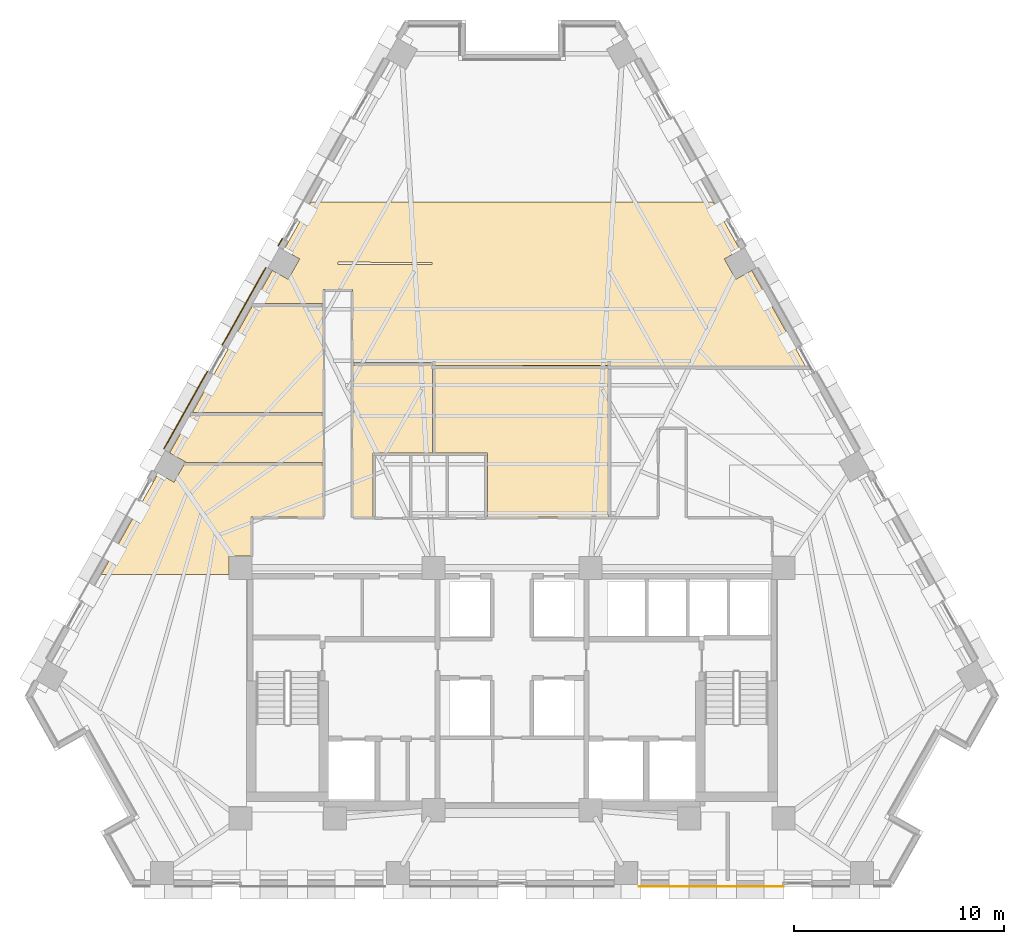
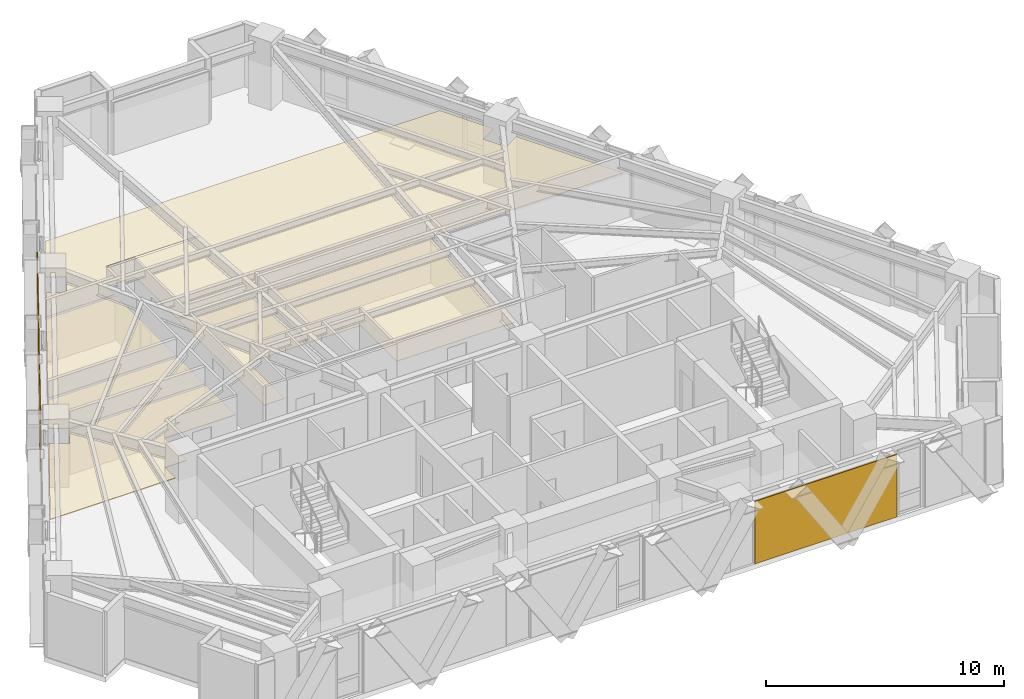
# One storey, part 11 of 13: 10 coverings.
"""IFC4 building model written with IfcOpenShell, lengths in metres."""

import ifcopenshell
import ifcopenshell.guid

model = None  # the IFC model being written
_history = None  # IfcOwnerHistory: only IFC2X3 demands one
_inside = {}  # id of a spatial element -> (the spatial element, [elements in it])
_under = {}  # id of a project, library or spatial element -> (it, [spatial elements below it])
_declared = {}  # id of a project -> (the project, [libraries it declares])
_typed = {}  # id of a type object -> (the type object, [elements of that type])
_made_of = {}  # id of a material, layer set ... -> (it, [elements and type objects made of it])


def new_model(schema):
    """Start an empty IFC model of exactly this schema.

    Asked for "IFC4X3", IfcOpenShell would pick the latest addendum, in which some entities
    have other attributes; the version numbers below select the first issue.
    IFC2X3 requires an IfcOwnerHistory on every rooted entity: one is made here for all.
    """
    global model, _history
    if schema == "IFC4X3":
        model = ifcopenshell.file(schema_version=(4, 3, 0, 0))
    else:
        model = ifcopenshell.file(schema=schema)
    _inside.clear()
    _under.clear()
    _declared.clear()
    _typed.clear()
    _made_of.clear()
    _history = None
    if model.schema == "IFC2X3":
        org = make("IfcOrganization", Name="unknown")
        user = make(
            "IfcPersonAndOrganization",
            ThePerson=make("IfcPerson", FamilyName="unknown"),
            TheOrganization=org,
        )
        app = make(
            "IfcApplication",
            ApplicationDeveloper=org,
            Version="unknown",
            ApplicationFullName="unknown",
            ApplicationIdentifier="unknown",
        )
        _history = make(
            "IfcOwnerHistory",
            OwningUser=user,
            OwningApplication=app,
            ChangeAction="ADDED",
            CreationDate=0,
        )
    return model


def make(cls, **values):
    """One entity of the class cls with the attributes given. An attribute that is None is left unset."""
    return model.create_entity(
        cls, **{name: value for name, value in values.items() if value is not None}
    )


def rooted(cls, **values):
    """An entity with a GlobalId (a new one), such as an element, a storey or a relation."""
    return make(cls, GlobalId=ifcopenshell.guid.new(), OwnerHistory=_history, **values)


def si_unit(unit_type, name, prefix=None):
    """IfcSIUnit, for example si_unit("LENGTHUNIT", "METRE", prefix="MILLI")."""
    return make("IfcSIUnit", UnitType=unit_type, Prefix=prefix, Name=name)


def assignment(units):
    """IfcUnitAssignment: the units of a project."""
    return None if units is None else make("IfcUnitAssignment", Units=units)


def point(xyz):
    """IfcCartesianPoint."""
    return None if xyz is None else make("IfcCartesianPoint", Coordinates=xyz)


def direction(xyz):
    """IfcDirection."""
    return None if xyz is None else make("IfcDirection", DirectionRatios=xyz)


def frame(location, z_axis=None, x_axis=None):
    """IfcAxis2Placement3D, a coordinate frame: its origin and axes. An axis left out is left unset."""
    return make(
        "IfcAxis2Placement3D",
        Location=point(location),
        Axis=direction(z_axis),
        RefDirection=direction(x_axis),
    )


def origin():
    """The frame at (0, 0, 0) with its axes left unset."""
    return frame((0.0, 0.0, 0.0))


def place(relative_to, where):
    """IfcLocalPlacement: puts the frame where relative to a parent placement (None: the world)."""
    return make(
        "IfcLocalPlacement", PlacementRelTo=relative_to, RelativePlacement=where
    )


def context(
    kind, dimensions, precision=None, world=None, true_north=None, identifier=None
):
    """IfcGeometricRepresentationContext, for example the 3D "Model" context."""
    return make(
        "IfcGeometricRepresentationContext",
        ContextIdentifier=identifier,
        ContextType=kind,
        CoordinateSpaceDimension=dimensions,
        Precision=precision,
        WorldCoordinateSystem=world,
        TrueNorth=true_north,
    )


def subcontext(parent, identifier, kind, view, scale=None):
    """IfcGeometricRepresentationSubContext, for example "Body" below "Model"."""
    return make(
        "IfcGeometricRepresentationSubContext",
        ContextIdentifier=identifier,
        ContextType=kind,
        ParentContext=parent,
        TargetScale=scale,
        TargetView=view,
    )


def project(units=None, contexts=None):
    """IfcProject with its units and contexts."""
    return rooted(
        "IfcProject",
        Name="project",
        RepresentationContexts=contexts,
        UnitsInContext=assignment(units),
    )


def spatial(cls, under=None, at=None, **own):
    """A site, building, storey or space (cls), placed at a placement, below another one or the project."""
    s = rooted(cls, ObjectPlacement=at, **own)
    if under is not None:
        _under.setdefault(under.id(), (under, []))[1].append(s)
    return s


def polyline(points):
    """IfcPolyline through the points."""
    return make("IfcPolyline", Points=[point(p) for p in points])


def outline(outer, holes=None, kind="AREA"):
    """IfcArbitraryClosedProfileDef: a profile drawn as a closed curve; with holes, ...WithVoids."""
    if holes is None:
        return make("IfcArbitraryClosedProfileDef", ProfileType=kind, OuterCurve=outer)
    return make(
        "IfcArbitraryProfileDefWithVoids",
        ProfileType=kind,
        OuterCurve=outer,
        InnerCurves=holes,
    )


def extrude(swept, where, along, depth):
    """IfcExtrudedAreaSolid: the profile swept, set in the frame where, extruded along a direction by depth."""
    return make(
        "IfcExtrudedAreaSolid",
        SweptArea=swept,
        Position=where,
        ExtrudedDirection=direction(along),
        Depth=depth,
    )


def shape(context_of_items, identifier, shape_type, items):
    """IfcShapeRepresentation: the items that make up one representation, for example the "Body"."""
    return make(
        "IfcShapeRepresentation",
        ContextOfItems=context_of_items,
        RepresentationIdentifier=identifier,
        RepresentationType=shape_type,
        Items=items,
    )


def material(Name=None, Category=None):
    """IfcMaterial."""
    return make("IfcMaterial", Name=Name, Category=Category)


def layer(
    of_material, thickness, ventilated=None, Name=None, Category=None, Priority=None
):
    """IfcMaterialLayer: one layer of a wall or slab, of a material (None: an air gap)."""
    return make(
        "IfcMaterialLayer",
        Material=of_material,
        LayerThickness=thickness,
        IsVentilated=ventilated,
        Name=Name,
        Category=Category,
        Priority=Priority,
    )


def layer_set(layers, Name=None):
    """IfcMaterialLayerSet."""
    return make("IfcMaterialLayerSet", MaterialLayers=layers, LayerSetName=Name)


def made_of(thing, what):
    """Note that an element or type object is made of a material, layer set ...; save() writes the relation."""
    if what is not None:
        _made_of.setdefault(what.id(), (what, []))[1].append(thing)
    return thing


def type_object(cls, material=None, **own):
    """A type object (cls), such as IfcWallType, which elements share."""
    return made_of(rooted(cls, **own), material)


def element(
    cls,
    number,
    at=None,
    inside=None,
    cuts=None,
    type_object=None,
    material=None,
    context=None,
    identifier="Body",
    shape_type=None,
    held_by="IfcProductDefinitionShape",
    body=None,
    shapes=None,
    **own,
):
    """One element of the class cls, such as IfcWall. Its Tag is "e" and its number.

    at: its placement. inside: the storey or other place that contains it. cuts: it is an
    opening in that element (IfcRelVoidsElement). A single representation is given by context,
    identifier, shape_type and body (its items); several are given by shapes. held_by: the class
    of the entity that holds the representations. save() writes the other relations.
    """
    e = rooted(cls, Tag="e%d" % number, ObjectPlacement=at, **own)
    if body is not None:
        shapes = [shape(context, identifier, shape_type, body)]
    if shapes is not None:
        e.Representation = make(held_by, Representations=shapes)
    if inside is not None:
        _inside.setdefault(inside.id(), (inside, []))[1].append(e)
    if cuts is not None:
        rooted(
            "IfcRelVoidsElement", RelatingBuildingElement=cuts, RelatedOpeningElement=e
        )
    if type_object is not None:
        _typed.setdefault(type_object.id(), (type_object, []))[1].append(e)
    return made_of(e, material)


def aggregate(whole, parts):
    """IfcRelAggregates: a whole, such as a stair, and the parts it consists of."""
    return rooted("IfcRelAggregates", RelatingObject=whole, RelatedObjects=parts)


def save(model, path):
    """Write the relations noted so far, then the file.

    IfcRelAggregates (storeys below a building ...), IfcRelContainedInSpatialStructure (elements
    in a storey), IfcRelDefinesByType, IfcRelAssociatesMaterial and IfcRelDeclares: one each for
    every whole, place, type object, material and project.
    """
    for whole, parts in _under.values():
        aggregate(whole, parts)
    for where, things in _inside.values():
        rooted(
            "IfcRelContainedInSpatialStructure",
            RelatedElements=things,
            RelatingStructure=where,
        )
    for kind, things in _typed.values():
        rooted("IfcRelDefinesByType", RelatedObjects=things, RelatingType=kind)
    for what, things in _made_of.values():
        rooted("IfcRelAssociatesMaterial", RelatedObjects=things, RelatingMaterial=what)
    for by, libraries in _declared.values():
        rooted("IfcRelDeclares", RelatingContext=by, RelatedDefinitions=libraries)
    model.write(path)


model = new_model("IFC4")

# Units and contexts
model_context = context("Model", 3, precision=1e-05, world=origin(), true_north=direction((0.0, 1.0)))
body_context = subcontext(model_context, "Body", "Model", "MODEL_VIEW")
ifc_project = project(units=[si_unit("LENGTHUNIT", "METRE"), si_unit("AREAUNIT", "SQUARE_METRE"), si_unit("VOLUMEUNIT", "CUBIC_METRE"), si_unit("PLANEANGLEUNIT", "RADIAN"), si_unit("MASSUNIT", "GRAM", prefix="KILO")], contexts=[model_context])

# Site, building, storey
site_placement = place(None, origin())
site = spatial("IfcSite", under=ifc_project, at=site_placement, CompositionType="ELEMENT")
building_placement = place(site_placement, origin())
building = spatial("IfcBuilding", under=site, at=building_placement, Name="Quenlor Broadcast Tower", CompositionType="ELEMENT")
storey_placement = place(building_placement, frame((0.0, 0.0, 119.5)))
storey = spatial("IfcBuildingStorey", under=building, at=storey_placement, Name="L32", CompositionType="ELEMENT", Elevation=119.5)

# Coverings
ifc_material_1 = material(Name="Acoustic Mineral Fibre Board", Category="other")
ifc_layer_1 = layer(ifc_material_1, 0.02490234375)
ifc_layer_set_1 = layer_set([ifc_layer_1], Name="Acoustic Perforated Mineral Tile Ceiling 25")
covering_type_1 = type_object("IfcCoveringType", Name="Acoustic Perforated Mineral Tile Ceiling 25", PredefinedType="CEILING", material=ifc_layer_set_1)
covering_1_placement = place(storey_placement, frame((0.0, 0.0, 2.22509765625)))
element("IfcCovering", 1, at=covering_1_placement, inside=storey, type_object=covering_type_1, Name="L32 Acoustic Ceiling L32-29", PredefinedType="CEILING", context=body_context, shape_type="SweptSolid", body=[
    extrude(outline(polyline([(-3.775146484375, 4.864013671875), (-3.7958984375, 4.884765625), (-3.812255859375, 4.9091796875), (-3.823486328125, 4.9365234375), (-3.829345703125, 4.96533203125), (-7.60009765625, 4.97998046875), (-7.60009765625, 8.47998046875), (-9.0, 8.47998046875), (-9.0, 7.81005859375), (-12.31689453125, 7.81005859375), (-11.4306640625, 9.38525390625), (-10.674072265625, 8.959716796875), (-10.126953125, 9.9326171875), (-10.883544921875, 10.35791015625), (-9.59423828125, 12.64990234375), (9.59423828125, 12.64990234375), (10.883544921875, 10.35791015625), (10.126953125, 9.9326171875), (10.674072265625, 8.959716796875), (11.4306640625, 9.38525390625), (13.982177734375, 4.849365234375), (13.966552734375, 4.841796875), (13.938232421875, 4.8330078125), (13.90869140625, 4.830078125), (4.719970703125, 4.830078125), (4.690673828125, 4.8330078125), (4.66259765625, 4.84130859375), (4.6435546875, 4.83642578125), (4.61474609375, 4.830810546875), (-3.679931640625, 4.830078125), (-3.723388671875, 4.83642578125), (-3.750732421875, 4.84765625), (-3.775146484375, 4.864013671875)]), holes=[polyline([(-3.823486328125, 9.736572265625), (-3.829345703125, 9.765380859375), (-8.300048828125, 9.780029296875), (-8.300048828125, 9.659912109375), (-3.830078125, 9.659912109375), (-3.823486328125, 9.70361328125), (-3.8173828125, 9.719970703125), (-3.823486328125, 9.736572265625)])]), origin(), (0.0, 0.0, 1.0), 0.02490234375),
])
covering_2_placement = place(storey_placement, frame((0.0, 0.0, 2.22509765625)))
element("IfcCovering", 2, at=covering_2_placement, inside=storey, type_object=covering_type_1, Name="L32 Acoustic Ceiling L32-30", PredefinedType="CEILING", context=body_context, shape_type="SweptSolid", body=[
    extrude(outline(polyline([(-15.24169921875, 2.610107421875), (-12.38427734375, 7.68994140625), (-9.0, 7.68994140625), (-9.0, 2.610107421875), (-15.24169921875, 2.610107421875)])), origin(), (0.0, 0.0, 1.0), 0.02490234375),
])
covering_3_placement = place(storey_placement, frame((0.0, 0.0, 2.22509765625)))
element("IfcCovering", 3, at=covering_3_placement, inside=storey, type_object=covering_type_1, Name="L32 Acoustic Ceiling L32-32", PredefinedType="CEILING", context=body_context, shape_type="SweptSolid", body=[
    extrude(outline(polyline([(-7.60009765625, 4.860107421875), (-3.800048828125, 4.860107421875), (-3.800048828125, 0.669921875), (-6.6201171875, 0.669921875), (-6.6201171875, -2.3701171875), (-7.60009765625, -2.3701171875), (-7.60009765625, 4.860107421875)])), origin(), (0.0, 0.0, 1.0), 0.02490234375),
])
covering_4_placement = place(storey_placement, frame((0.0, 0.0, 2.22509765625)))
element("IfcCovering", 4, at=covering_4_placement, inside=storey, type_object=covering_type_1, Name="L32 Acoustic Ceiling L32-33", PredefinedType="CEILING", context=body_context, shape_type="SweptSolid", body=[
    extrude(outline(polyline([(-3.679931640625, 4.860107421875), (4.60009765625, 4.860107421875), (4.60009765625, -2.3701171875), (-1.179931640625, -2.3701171875), (-1.179931640625, 0.669921875), (-3.679931640625, 0.669921875), (-3.679931640625, 4.860107421875)])), origin(), (0.0, 0.0, 1.0), 0.02490234375),
])
covering_5_placement = place(storey_placement, frame((0.0, 0.0, 2.22509765625)))
element("IfcCovering", 5, at=covering_5_placement, inside=storey, type_object=covering_type_1, Name="L32 Acoustic Ceiling L32-34", PredefinedType="CEILING", context=body_context, shape_type="SweptSolid", body=[
    extrude(outline(polyline([(-15.58203125, 0.234619140625), (-15.5703125, 0.255615234375), (-16.32666015625, 0.68115234375), (-15.309326171875, 2.489990234375), (-9.0, 2.489990234375), (-9.0, 0.234619140625), (-15.58203125, 0.234619140625)])), origin(), (0.0, 0.0, 1.0), 0.02490234375),
])
ifc_material_2 = material(Name="Acoustic Gypsum Board", Category="other")
ifc_layer_2 = layer(ifc_material_2, 0.0400390625)
ifc_layer_set_2 = layer_set([ifc_layer_2], Name="Broadcast Studio Spring Isolated Ceiling 40")
covering_type_2 = type_object("IfcCoveringType", Name="Broadcast Studio Spring Isolated Ceiling 40", PredefinedType="CEILING", material=ifc_layer_set_2)
covering_6_placement = place(storey_placement, frame((0.0, 0.0, 2.2099609375)))
element("IfcCovering", 6, at=covering_6_placement, inside=storey, type_object=covering_type_2, Name="L32 Acoustic Ceiling L32-36", PredefinedType="CEILING", context=body_context, shape_type="SweptSolid", body=[
    extrude(outline(polyline([(-16.873779296875, -0.29150390625), (-16.1171875, -0.717041015625), (-15.6494140625, 0.11474609375), (-9.0, 0.11474609375), (-9.0, -2.3701171875), (-12.43994140625, -2.3701171875), (-12.43994140625, -4.241943359375), (-13.508056640625, -4.241943359375), (-13.508056640625, -5.1201171875), (-19.58984375, -5.1201171875), (-16.873779296875, -0.29150390625)])), origin(), (0.0, 0.0, 1.0), 0.0400390625),
])
ifc_material_3 = material(Name="Architectural Terracotta Ceramic", Category="masonry")
ifc_layer_3 = layer(ifc_material_3, 0.044921875)
ifc_layer_set_3 = layer_set([ifc_layer_3], Name="Fluted Terracotta Rainscreen Cladding Panel")
covering_type_3 = type_object("IfcCoveringType", Name="Fluted Terracotta Rainscreen Cladding Panel", PredefinedType="CLADDING", material=ifc_layer_set_3)
covering_7_placement = place(storey_placement, frame((0.0, 0.0, 0.02001953125)))
element("IfcCovering", 7, at=covering_7_placement, inside=storey, type_object=covering_type_3, Name="L32 Terracotta Rainscreen Cladding L32-SA-SP2", PredefinedType="CLADDING", context=body_context, shape_type="SweptSolid", body=[
    extrude(outline(polyline([(12.94873046875, -19.971923828125), (6.048095703125, -19.971923828125), (6.048095703125, -20.01708984375), (12.94873046875, -20.01708984375), (12.94873046875, -19.971923828125)])), origin(), (0.0, 0.0, 1.0), 3.2099609375),
])
covering_8_placement = place(storey_placement, frame((0.0, 0.0, 0.02001953125)))
element("IfcCovering", 8, at=covering_8_placement, inside=storey, type_object=covering_type_3, Name="L32 Terracotta Rainscreen Cladding L32-NWC-SP1", PredefinedType="CLADDING", context=body_context, shape_type="SweptSolid", body=[
    extrude(outline(polyline([(-11.13232421875, 10.552001953125), (-10.936279296875, 10.900634765625), (-10.9755859375, 10.922607421875), (-11.171630859375, 10.57421875), (-11.13232421875, 10.552001953125)])), origin(), (0.0, 0.0, 1.0), 3.2099609375),
])
covering_9_placement = place(storey_placement, frame((0.0, 0.0, 0.02001953125)))
element("IfcCovering", 9, at=covering_9_placement, inside=storey, type_object=covering_type_3, Name="L32 Terracotta Rainscreen Cladding L32-NW-SP1", PredefinedType="CLADDING", context=body_context, shape_type="SweptSolid", body=[
    extrude(outline(polyline([(-16.577880859375, 0.870849609375), (-14.499755859375, 4.565673828125), (-14.538818359375, 4.587646484375), (-16.6171875, 0.892822265625), (-16.577880859375, 0.870849609375)])), origin(), (0.0, 0.0, 1.0), 3.2099609375),
])
covering_10_placement = place(storey_placement, frame((0.0, 0.0, 0.02001953125)))
element("IfcCovering", 10, at=covering_10_placement, inside=storey, type_object=covering_type_3, Name="L32 Terracotta Rainscreen Cladding L32-NW-SP2", PredefinedType="CLADDING", context=body_context, shape_type="SweptSolid", body=[
    extrude(outline(polyline([(-13.801513671875, 5.806884765625), (-11.72314453125, 9.501708984375), (-11.76220703125, 9.523681640625), (-13.8408203125, 5.8291015625), (-13.801513671875, 5.806884765625)])), origin(), (0.0, 0.0, 1.0), 3.2099609375),
])

save(model, "model.ifc")
